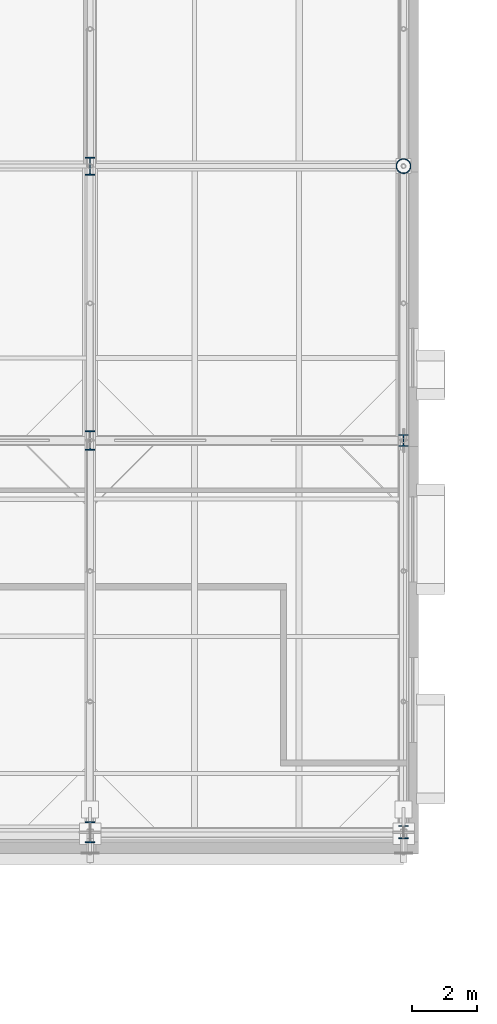
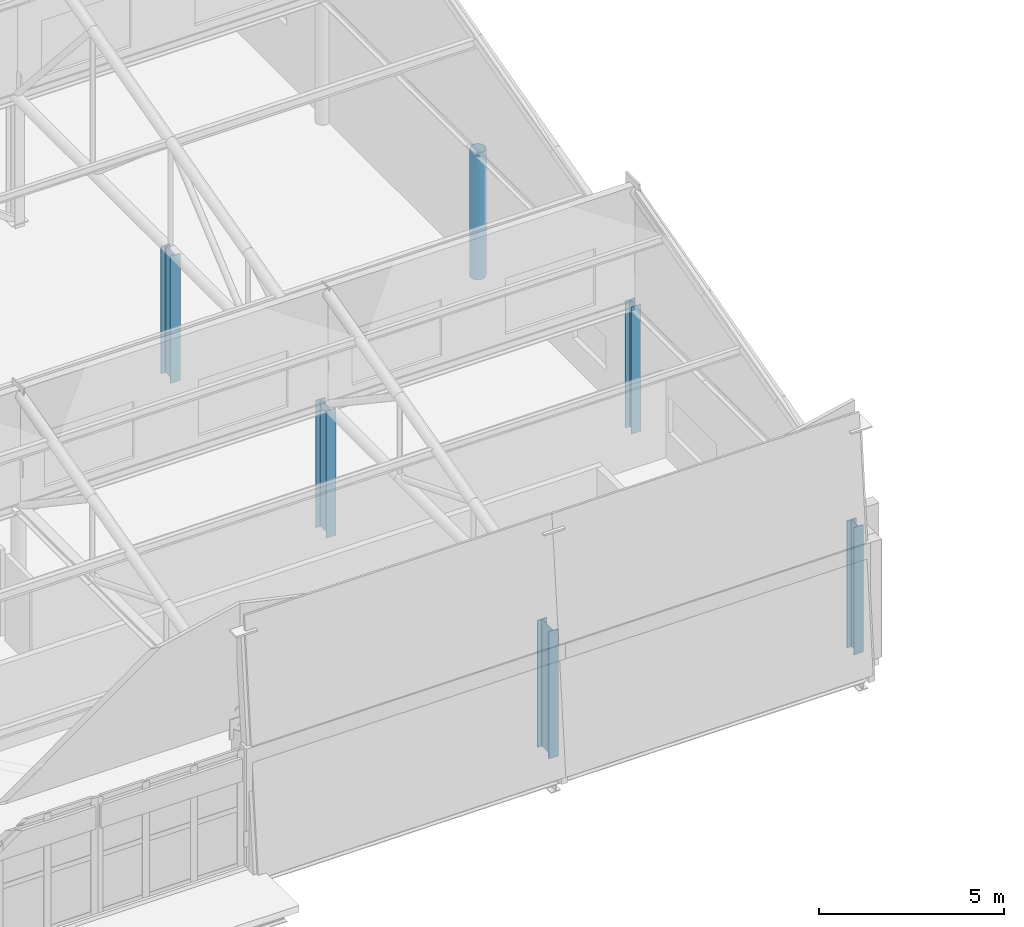
# One storey, part 6 of 89: 6 columns.
"""IFC4 building model written with IfcOpenShell, lengths in metres."""

from ifc_helpers import new_model, si_unit, direction, frame, origin, origin_2d, place, context, subcontext, project, spatial, hollow_circle, i_section, extrude, material, material_profile, profile_set, type_object, element, save


model = new_model("IFC4")

# Units and contexts
model_context = context("Model", 3, precision=1e-05, world=origin(), true_north=direction((0.0, 1.0)))
body_context = subcontext(model_context, "Body", "Model", "MODEL_VIEW")
ifc_project = project(units=[si_unit("LENGTHUNIT", "METRE"), si_unit("AREAUNIT", "SQUARE_METRE"), si_unit("VOLUMEUNIT", "CUBIC_METRE"), si_unit("PLANEANGLEUNIT", "RADIAN"), si_unit("MASSUNIT", "GRAM", prefix="KILO")], contexts=[model_context])

# Site, building, storey
site_placement = place(None, origin())
site = spatial("IfcSite", under=ifc_project, at=site_placement, CompositionType="ELEMENT")
building_placement = place(site_placement, origin())
building = spatial("IfcBuilding", under=site, at=building_placement, Name="Zereglee Splitstone Museum", CompositionType="ELEMENT")
storey_placement = place(building_placement, frame((0.0, 0.0, 21.300048828125)))
storey = spatial("IfcBuildingStorey", under=building, at=storey_placement, Name="L04", CompositionType="ELEMENT", Elevation=21.300048828125)

# Columns
ifc_material_1 = material(Name="Steel S355J2H", Category="steel")
ifc_material_profile_1 = material_profile(ifc_material_1, hollow_circle(Radius=0.228515625, WallThickness=0.02001953125, at=origin_2d()), Name="CHS 457.0x20")
ifc_profile_set_1 = profile_set([ifc_material_profile_1], Name="Steel S355J2H")
column_type_1 = type_object("IfcColumnType", Name="C-17", PredefinedType="COLUMN", material=ifc_profile_set_1)
column_1_placement = place(storey_placement, frame((145.199951171875, 30.0, 0.0), z_axis=(0.0, 0.0, 1.0), x_axis=(1.0, 0.0, 0.0)))
element("IfcColumn", 1, at=column_1_placement, inside=storey, type_object=column_type_1, Name="Column 17/D L04", PredefinedType="COLUMN", context=body_context, shape_type="SweptSolid", body=[
    extrude(hollow_circle(Radius=0.228515625, WallThickness=0.02001953125, at=origin_2d()), origin(), (0.0, 0.0, 1.0), 4.199951171875),
])
ifc_material_2 = material(Name="Steel S355J2", Category="steel")
ifc_material_profile_2 = material_profile(ifc_material_2, i_section(OverallWidth=0.300048828125, OverallDepth=0.360107421875, WebThickness=0.012451171875, FlangeThickness=0.0224609375, FilletRadius=0.027099609375, at=origin_2d()), Name="HE 360 B")
ifc_profile_set_2 = profile_set([ifc_material_profile_2], Name="Steel S355J2")
column_type_2 = type_object("IfcColumnType", Name="C-16", PredefinedType="COLUMN", material=ifc_profile_set_2)
column_2_placement = place(storey_placement, frame((145.199951171875, 21.60009765625, 0.0), z_axis=(0.0, 0.0, 1.0), x_axis=(1.0, 0.0, 0.0)))
element("IfcColumn", 2, at=column_2_placement, inside=storey, type_object=column_type_2, Name="Column 17/C L04", PredefinedType="COLUMN", context=body_context, shape_type="SweptSolid", body=[
    extrude(i_section(OverallWidth=0.300048828125, OverallDepth=0.360107421875, WebThickness=0.012451171875, FlangeThickness=0.0224609375, FilletRadius=0.027099609375, at=origin_2d()), origin(), (0.0, 0.0, 1.0), 4.199951171875),
])
ifc_material_profile_3 = material_profile(ifc_material_2, i_section(OverallWidth=0.300048828125, OverallDepth=0.39990234375, WebThickness=0.013427734375, FlangeThickness=0.02392578125, FilletRadius=0.027099609375, at=origin_2d()), Name="HE 400 B")
ifc_profile_set_3 = profile_set([ifc_material_profile_3], Name="Steel S355J2")
column_type_3 = type_object("IfcColumnType", Name="C-15", PredefinedType="COLUMN", material=ifc_profile_set_3)
column_3_placement = place(storey_placement, frame((145.199951171875, 9.60009765625, 0.0), z_axis=(0.0, 0.0, 1.0), x_axis=(1.0, 0.0, 0.0)))
element("IfcColumn", 3, at=column_3_placement, inside=storey, type_object=column_type_3, Name="Column 17/B L04", PredefinedType="COLUMN", context=body_context, shape_type="SweptSolid", body=[
    extrude(i_section(OverallWidth=0.300048828125, OverallDepth=0.39990234375, WebThickness=0.013427734375, FlangeThickness=0.02392578125, FilletRadius=0.027099609375, at=origin_2d()), origin(), (0.0, 0.0, 1.0), 4.199951171875),
])
ifc_material_profile_4 = material_profile(ifc_material_2, i_section(OverallWidth=0.300048828125, OverallDepth=0.550048828125, WebThickness=0.014892578125, FlangeThickness=0.029052734375, FilletRadius=0.027099609375, at=origin_2d()), Name="HE 550 B")
ifc_profile_set_4 = profile_set([ifc_material_profile_4], Name="Steel S355J2")
column_type_4 = type_object("IfcColumnType", Name="C-12", PredefinedType="COLUMN", material=ifc_profile_set_4)
column_4_placement = place(storey_placement, frame((135.60009765625, 30.0, 0.0), z_axis=(0.0, 0.0, 1.0), x_axis=(1.0, 0.0, 0.0)))
element("IfcColumn", 4, at=column_4_placement, inside=storey, type_object=column_type_4, Name="Column 16/D L04", PredefinedType="COLUMN", context=body_context, shape_type="SweptSolid", body=[
    extrude(i_section(OverallWidth=0.300048828125, OverallDepth=0.550048828125, WebThickness=0.014892578125, FlangeThickness=0.029052734375, FilletRadius=0.027099609375, at=origin_2d()), origin(), (0.0, 0.0, 1.0), 4.199951171875),
])
ifc_material_profile_5 = material_profile(ifc_material_2, i_section(OverallWidth=0.300048828125, OverallDepth=0.60009765625, WebThickness=0.015380859375, FlangeThickness=0.030029296875, FilletRadius=0.027099609375, at=origin_2d()), Name="HE 600 B")
ifc_profile_set_5 = profile_set([ifc_material_profile_5], Name="Steel S355J2")
column_type_5 = type_object("IfcColumnType", Name="C-11", PredefinedType="COLUMN", material=ifc_profile_set_5)
column_5_placement = place(storey_placement, frame((135.60009765625, 21.60009765625, 0.0), z_axis=(0.0, 0.0, 1.0), x_axis=(1.0, 0.0, 0.0)))
element("IfcColumn", 5, at=column_5_placement, inside=storey, type_object=column_type_5, Name="Column 16/C L04", PredefinedType="COLUMN", context=body_context, shape_type="SweptSolid", body=[
    extrude(i_section(OverallWidth=0.300048828125, OverallDepth=0.60009765625, WebThickness=0.015380859375, FlangeThickness=0.030029296875, FilletRadius=0.027099609375, at=origin_2d()), origin(), (0.0, 0.0, 1.0), 4.199951171875),
])
ifc_material_profile_6 = material_profile(ifc_material_2, i_section(OverallWidth=0.300048828125, OverallDepth=0.64990234375, WebThickness=0.01611328125, FlangeThickness=0.031005859375, FilletRadius=0.027099609375, at=origin_2d()), Name="HE 650 B")
ifc_profile_set_6 = profile_set([ifc_material_profile_6], Name="Steel S355J2")
column_type_6 = type_object("IfcColumnType", Name="C-10", PredefinedType="COLUMN", material=ifc_profile_set_6)
column_6_placement = place(storey_placement, frame((135.60009765625, 9.60009765625, 0.0), z_axis=(0.0, 0.0, 1.0), x_axis=(1.0, 0.0, 0.0)))
element("IfcColumn", 6, at=column_6_placement, inside=storey, type_object=column_type_6, Name="Column 16/B L04", PredefinedType="COLUMN", context=body_context, shape_type="SweptSolid", body=[
    extrude(i_section(OverallWidth=0.300048828125, OverallDepth=0.64990234375, WebThickness=0.01611328125, FlangeThickness=0.031005859375, FilletRadius=0.027099609375, at=origin_2d()), origin(), (0.0, 0.0, 1.0), 4.199951171875),
])

save(model, "model.ifc")
